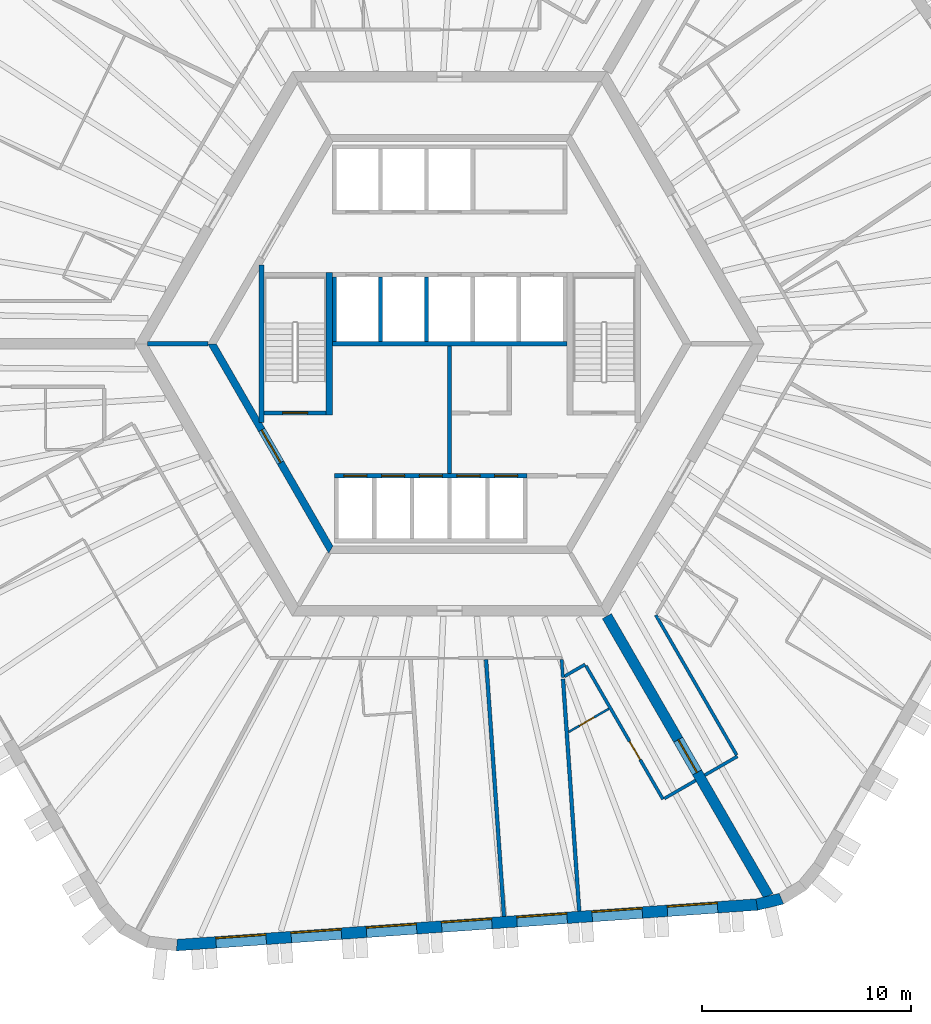
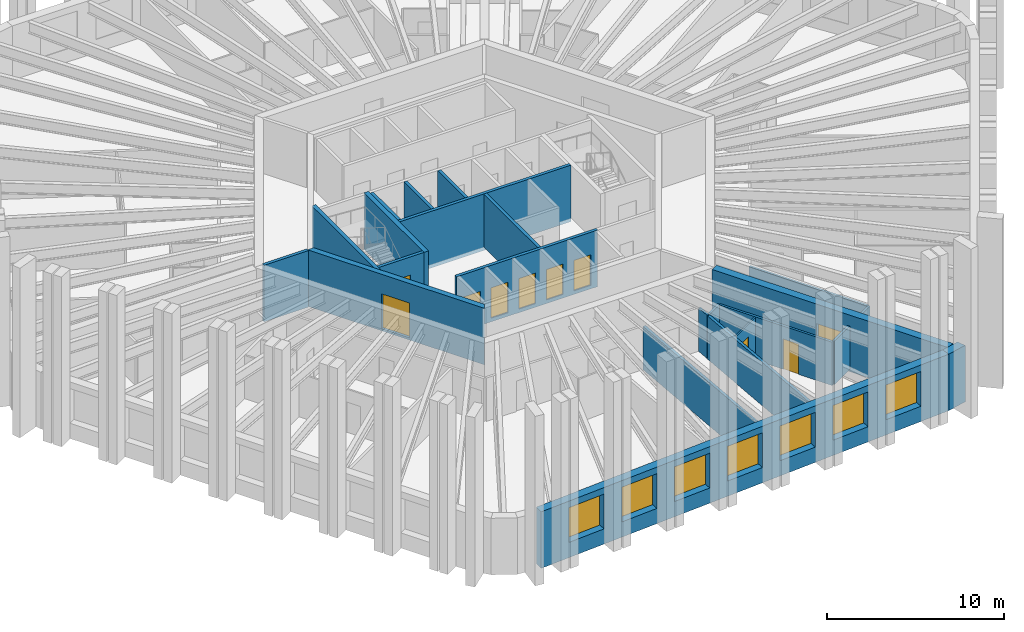
# One storey, part 4 of 10: 23 walls, 10 doors, 7 windows, 17 openings.
"""IFC4 building model written with IfcOpenShell, lengths in metres."""

from ifc_helpers import new_model, si_unit, direction, frame, frame_2d, origin, place, context, subcontext, project, spatial, polyline, rectangle, outline, extrude, material, layer, layer_set, type_object, element, fill, save


model = new_model("IFC4")

# Units and contexts
model_context = context("Model", 3, precision=1e-05, world=origin(), true_north=direction((0.0, 1.0)))
body_context = subcontext(model_context, "Body", "Model", "MODEL_VIEW")
ifc_project = project(units=[si_unit("LENGTHUNIT", "METRE"), si_unit("AREAUNIT", "SQUARE_METRE"), si_unit("VOLUMEUNIT", "CUBIC_METRE"), si_unit("PLANEANGLEUNIT", "RADIAN"), si_unit("MASSUNIT", "GRAM", prefix="KILO")], contexts=[model_context])

# Site, building, storey
site_placement = place(None, origin())
site = spatial("IfcSite", under=ifc_project, at=site_placement, CompositionType="ELEMENT")
building_placement = place(site_placement, origin())
building = spatial("IfcBuilding", under=site, at=building_placement, Name="Tarnside Tower", CompositionType="ELEMENT")
storey_placement = place(building_placement, frame((0.0, 0.0, 195.60009765625)))
storey = spatial("IfcBuildingStorey", under=building, at=storey_placement, Name="L46", CompositionType="ELEMENT", Elevation=195.60009765625)

# Wall, opening, door
ifc_material_1 = material(Name="Gypsum board partition on steel studs", Category="steel")
ifc_layer_1 = layer(ifc_material_1, 0.10009765625)
ifc_layer_set_1 = layer_set([ifc_layer_1], Name="Bathroom wall 100")
wall_type_1 = type_object("IfcWallType", Name="Bathroom wall 100", PredefinedType="PARTITIONING", material=ifc_layer_set_1)
wall_1_placement = place(storey_placement, frame((7.603271484375, -17.419189453125, 0.0), z_axis=(0.0, 0.0, 1.0), x_axis=(-0.866064858854, -0.499931655587, 0.0)))
wall_1 = element("IfcWall", 1, at=wall_1_placement, inside=storey, type_object=wall_type_1, Name="Bathroom wall 15093", PredefinedType="PARTITIONING", context=body_context, shape_type="SweptSolid", body=[
    extrude(rectangle(XDim=2.222412109375, YDim=0.10009765625, at=frame_2d((1.111328125, 0.0))), origin(), (0.0, 0.0, 1.0), 2.98779296875),
])
opening_1_placement = place(wall_1_placement, frame((0.824951171875, 0.0, 0.0)))
opening_1 = element("IfcOpeningElement", 2, at=opening_1_placement, cuts=wall_1, Name="Opening D-B1", PredefinedType="OPENING", context=body_context, shape_type="SweptSolid", body=[
    extrude(rectangle(XDim=0.800048828125, YDim=2.10009765625, at=frame_2d((0.39990234375, 1.050048828125))), frame((0.0, 0.06005859375, 0.0), z_axis=(0.0, -1.0, 0.0), x_axis=(1.0, 0.0, 0.0)), (0.0, 0.0, 1.0), 0.1201171875),
])
ifc_material_2 = material(Name="Timber door leaf", Category="wood")
door_type_1 = type_object("IfcDoorType", Name="Bathroom door 800", OperationType="NOTDEFINED", PredefinedType="DOOR", material=ifc_material_2)
door_1_placement = place(opening_1_placement, origin())
door_1 = element("IfcDoor", 3, at=door_1_placement, inside=storey, type_object=door_type_1, Name="Bathroom door 15024", OperationType="SINGLE_SWING_LEFT", OverallHeight=2.10009765625, OverallWidth=0.800048828125, PredefinedType="DOOR", context=body_context, shape_type="SweptSolid", body=[
    extrude(rectangle(XDim=0.800048828125, YDim=2.10009765625, at=frame_2d((0.39990234375, 1.050048828125))), frame((0.0, 0.02490234375, 0.0), z_axis=(0.0, -1.0, 0.0), x_axis=(1.0, 0.0, 0.0)), (0.0, 0.0, 1.0), 0.050048828125),
])
fill(opening_1, door_1)

ifc_material_3 = material(Name="Concrete C50/60", Category="concrete")
ifc_layer_2 = layer(ifc_material_3, 0.35009765625)
ifc_layer_set_2 = layer_set([ifc_layer_2], Name="Core block wall 350 C50/60")
wall_type_2 = type_object("IfcWallType", Name="Core block wall 350 C50/60", PredefinedType="SHEAR", material=ifc_layer_set_2)
wall_2_placement = place(storey_placement, frame((-11.344970703125, 0.0, -0.150146484375), z_axis=(0.0, 0.0, 1.0), x_axis=(0.499995046907, -0.866028263435, 0.0)))
wall_2 = element("IfcWall", 4, at=wall_2_placement, inside=storey, type_object=wall_type_2, Name="L46 core block wall face 3", PredefinedType="SHEAR", context=body_context, shape_type="SweptSolid", body=[
    extrude(outline(polyline([(-0.10107421875, -0.175048828125), (11.44580078125, -0.175048828125), (11.24365234375, 0.175048828125), (0.10107421875, 0.175048828125), (-0.10107421875, -0.175048828125)])), origin(), (0.0, 0.0, 1.0), 3.900146484375),
])
opening_2_placement = place(wall_2_placement, frame((4.74365234375, 0.0, 0.14990234375)))
opening_2 = element("IfcOpeningElement", 5, at=opening_2_placement, cuts=wall_2, Name="Opening CD-FFL", PredefinedType="OPENING", context=body_context, shape_type="SweptSolid", body=[
    extrude(rectangle(XDim=1.800048828125, YDim=2.39990234375, at=frame_2d((0.89990234375, 1.199951171875))), frame((0.0, 0.18505859375, 0.0), z_axis=(0.0, -1.0, 0.0), x_axis=(1.0, 0.0, 0.0)), (0.0, 0.0, 1.0), 0.3701171875),
])
ifc_material_4 = material(Name="Steel fire door", Category="steel")
door_type_2 = type_object("IfcDoorType", Name="Firefighting lobby double door FD60S 1800x2400", OperationType="NOTDEFINED", PredefinedType="DOOR", material=ifc_material_4)
door_2_placement = place(opening_2_placement, origin())
door_2 = element("IfcDoor", 6, at=door_2_placement, inside=storey, type_object=door_type_2, Name="L46 lobby block door P3", OperationType="DOUBLE_DOOR_SINGLE_SWING", OverallHeight=2.39990234375, OverallWidth=1.800048828125, PredefinedType="DOOR", context=body_context, shape_type="SweptSolid", body=[
    extrude(rectangle(XDim=1.800048828125, YDim=2.39990234375, at=frame_2d((0.89990234375, 1.199951171875))), frame((0.0, 0.02490234375, 0.0), z_axis=(0.0, -1.0, 0.0), x_axis=(1.0, 0.0, 0.0)), (0.0, 0.0, 1.0), 0.050048828125),
])
fill(opening_2, door_2)

# Wall
ifc_material_5 = material(Name="Concrete C40/50", Category="concrete")
ifc_layer_3 = layer(ifc_material_5, 0.199951171875)
ifc_layer_set_3 = layer_set([ifc_layer_3], Name="Core room partition 200 C40/50")
wall_type_3 = type_object("IfcWallType", Name="Core room partition 200 C40/50", PredefinedType="PARTITIONING", material=ifc_layer_set_3)
wall_3_placement = place(storey_placement, frame((0.0, -6.199951171875, 0.0), z_axis=(0.0, 0.0, 1.0), x_axis=(0.0, 1.0, 0.0)))
element("IfcWall", 7, at=wall_3_placement, inside=storey, type_object=wall_type_3, Name="L46 core partition X0", PredefinedType="PARTITIONING", context=body_context, shape_type="SweptSolid", body=[
    extrude(rectangle(XDim=6.099853515625, YDim=0.199951171875, at=frame_2d((3.0498046875, 0.0))), origin(), (0.0, 0.0, 1.0), 3.64990234375),
])

# Wall, opening, door
ifc_material_6 = material(Name="Concrete C70/85", Category="concrete")
ifc_layer_4 = layer(ifc_material_6, 0.5)
ifc_layer_set_4 = layer_set([ifc_layer_4], Name="Core wall Z2 500 C70/85")
wall_type_4 = type_object("IfcWallType", Name="Core wall Z2 500 C70/85", PredefinedType="SHEAR", material=ifc_layer_set_4)
wall_4_placement = place(storey_placement, frame((7.505615234375, -13.0, -0.150146484375), z_axis=(0.0, 0.0, 1.0), x_axis=(0.499988271576, -0.866032175087, 0.0)))
wall_4 = element("IfcWall", 8, at=wall_4_placement, inside=storey, type_object=wall_type_4, Name="L46 spine wall 3", PredefinedType="SHEAR", context=body_context, shape_type="SweptSolid", body=[
    extrude(rectangle(XDim=15.423583984375, YDim=0.5, at=frame_2d((7.7119140625, 0.0))), origin(), (0.0, 0.0, 1.0), 3.900146484375),
])
opening_3_placement = place(wall_4_placement, frame((6.811767578125, 0.0, 0.14990234375)))
opening_3 = element("IfcOpeningElement", 9, at=opening_3_placement, cuts=wall_4, Name="Opening CD-SPN", PredefinedType="OPENING", context=body_context, shape_type="SweptSolid", body=[
    extrude(rectangle(XDim=1.800048828125, YDim=2.39990234375, at=frame_2d((0.89990234375, 1.199951171875))), frame((0.0, 0.260009765625, 0.0), z_axis=(0.0, -1.0, 0.0), x_axis=(1.0, 0.0, 0.0)), (0.0, 0.0, 1.0), 0.52001953125),
])
door_type_3 = type_object("IfcDoorType", Name="Spine passage double door FD60 1800x2400", OperationType="NOTDEFINED", PredefinedType="DOOR", material=ifc_material_4)
door_3_placement = place(opening_3_placement, origin())
door_3 = element("IfcDoor", 10, at=door_3_placement, inside=storey, type_object=door_type_3, Name="L46 spine passage door 3", OperationType="DOUBLE_DOOR_SINGLE_SWING", OverallHeight=2.39990234375, OverallWidth=1.800048828125, PredefinedType="DOOR", context=body_context, shape_type="SweptSolid", body=[
    extrude(rectangle(XDim=1.800048828125, YDim=2.39990234375, at=frame_2d((0.89990234375, 1.199951171875))), frame((0.0, 0.02490234375, 0.0), z_axis=(0.0, -1.0, 0.0), x_axis=(1.0, 0.0, 0.0)), (0.0, 0.0, 1.0), 0.050048828125),
])
fill(opening_3, door_3)

# Wall
ifc_layer_5 = layer(ifc_material_1, 0.14990234375)
ifc_layer_set_5 = layer_set([ifc_layer_5], Name="Corridor wall 150 EI 60")
wall_type_5 = type_object("IfcWallType", Name="Corridor wall 150 EI 60", PredefinedType="PARTITIONING", material=ifc_layer_set_5)
wall_5_placement = place(storey_placement, frame((5.3466796875, -15.074951171875, 0.0), z_axis=(0.0, 0.0, 1.0), x_axis=(0.069751684831, -0.997564385122, 0.0)))
element("IfcWall", 11, at=wall_5_placement, inside=storey, type_object=wall_type_5, Name="Corridor wall 15028", PredefinedType="PARTITIONING", context=body_context, shape_type="SweptSolid", body=[
    extrude(rectangle(XDim=0.846923828125, YDim=0.14990234375, at=frame_2d((0.42333984375, 0.0))), origin(), (0.0, 0.0, 1.0), 2.98779296875),
])

# Wall, opening, door
wall_6_placement = place(storey_placement, frame((6.505615234375, -15.3681640625, 0.0), z_axis=(0.0, 0.0, 1.0), x_axis=(0.499995202058, -0.86602817386, 0.0)))
wall_6 = element("IfcWall", 12, at=wall_6_placement, inside=storey, type_object=wall_type_5, Name="Corridor wall 15029", PredefinedType="PARTITIONING", context=body_context, shape_type="SweptSolid", body=[
    extrude(rectangle(XDim=7.36083984375, YDim=0.14990234375, at=frame_2d((3.680419921875, 0.0))), origin(), (0.0, 0.0, 1.0), 2.98779296875),
])
opening_4_placement = place(wall_6_placement, frame((4.16796875, 0.0, 0.0)))
opening_4 = element("IfcOpeningElement", 13, at=opening_4_placement, cuts=wall_6, Name="Opening D-E1", PredefinedType="OPENING", context=body_context, shape_type="SweptSolid", body=[
    extrude(rectangle(XDim=1.0, YDim=2.10009765625, at=frame_2d((0.5, 1.050048828125))), frame((0.0, 0.0849609375, 0.0), z_axis=(0.0, -1.0, 0.0), x_axis=(1.0, 0.0, 0.0)), (0.0, 0.0, 1.0), 0.169921875),
])
door_type_4 = type_object("IfcDoorType", Name="Unit entrance door 1000 FD30S", OperationType="NOTDEFINED", PredefinedType="DOOR", material=ifc_material_2)
door_4_placement = place(opening_4_placement, origin())
door_4 = element("IfcDoor", 14, at=door_4_placement, inside=storey, type_object=door_type_4, Name="Unit door 15023", OperationType="SINGLE_SWING_RIGHT", OverallHeight=2.10009765625, OverallWidth=1.0, PredefinedType="DOOR", context=body_context, shape_type="SweptSolid", body=[
    extrude(rectangle(XDim=1.0, YDim=2.10009765625, at=frame_2d((0.5, 1.050048828125))), frame((0.0, 0.02490234375, 0.0), z_axis=(0.0, -1.0, 0.0), x_axis=(1.0, 0.0, 0.0)), (0.0, 0.0, 1.0), 0.050048828125),
])
fill(opening_4, door_4)

# Walls
wall_7_placement = place(storey_placement, frame((10.2509765625, -21.705322265625, 0.0), z_axis=(0.0, 0.0, 1.0), x_axis=(0.866013532718, 0.500020560727, 0.0)))
element("IfcWall", 15, at=wall_7_placement, inside=storey, type_object=wall_type_5, Name="Corridor wall 15030", PredefinedType="PARTITIONING", context=body_context, shape_type="SweptSolid", body=[
    extrude(rectangle(XDim=1.72509765625, YDim=0.14990234375, at=frame_2d((0.862548828125, 0.0))), origin(), (0.0, 0.0, 1.0), 2.98779296875),
])
wall_8_placement = place(storey_placement, frame((5.477783203125, -15.875, 0.0), z_axis=(0.0, 0.0, 1.0), x_axis=(0.866000689289, 0.500042804318, 0.0)))
element("IfcWall", 16, at=wall_8_placement, inside=storey, type_object=wall_type_5, Name="Corridor wall 15031", PredefinedType="PARTITIONING", context=body_context, shape_type="SweptSolid", body=[
    extrude(rectangle(XDim=1.1435546875, YDim=0.14990234375, at=frame_2d((0.57177734375, 0.0))), origin(), (0.0, 0.0, 1.0), 2.98779296875),
])
wall_9_placement = place(storey_placement, frame((12.177978515625, -20.5927734375, 0.0), z_axis=(0.0, 0.0, 1.0), x_axis=(0.866047807691, 0.499961193289, 0.0)))
element("IfcWall", 17, at=wall_9_placement, inside=storey, type_object=wall_type_5, Name="Corridor wall 15033", PredefinedType="PARTITIONING", context=body_context, shape_type="SweptSolid", body=[
    extrude(rectangle(XDim=1.800048828125, YDim=0.14990234375, at=frame_2d((0.89990234375, 0.0))), origin(), (0.0, 0.0, 1.0), 2.98779296875),
])
wall_10_placement = place(storey_placement, frame((13.69921875, -19.6279296875, 0.0), z_axis=(0.0, 0.0, 1.0), x_axis=(-0.499993780622, 0.866028994514, 0.0)))
element("IfcWall", 18, at=wall_10_placement, inside=storey, type_object=wall_type_5, Name="Corridor wall 15034", PredefinedType="PARTITIONING", context=body_context, shape_type="SweptSolid", body=[
    extrude(rectangle(XDim=7.7109375, YDim=0.14990234375, at=frame_2d((3.85546875, 0.0))), origin(), (0.0, 0.0, 1.0), 2.98779296875),
])
ifc_layer_6 = layer(ifc_material_1, 0.179931640625)
ifc_layer_set_6 = layer_set([ifc_layer_6], Name="Demising wall 180 EI 60")
wall_type_6 = type_object("IfcWallType", Name="Demising wall 180 EI 60", PredefinedType="PARTITIONING", material=ifc_layer_set_6)
wall_11_placement = place(storey_placement, frame((2.59521484375, -27.33544921875, 0.0), z_axis=(0.0, 0.0, 1.0), x_axis=(-0.069763302087, 0.997563572752, 0.0)))
element("IfcWall", 19, at=wall_11_placement, inside=storey, type_object=wall_type_6, Name="Demising wall 15090", PredefinedType="PARTITIONING", context=body_context, shape_type="SweptSolid", body=[
    extrude(rectangle(XDim=12.29052734375, YDim=0.179931640625, at=frame_2d((6.145263671875, 0.0))), origin(), (0.0, 0.0, 1.0), 2.98779296875),
])
wall_12_placement = place(storey_placement, frame((6.1865234375, -27.08447265625, 0.0), z_axis=(0.0, 0.0, 1.0), x_axis=(-0.069758943489, 0.997563877555, 0.0)))
element("IfcWall", 20, at=wall_12_placement, inside=storey, type_object=wall_type_6, Name="Demising wall 15091", PredefinedType="PARTITIONING", context=body_context, shape_type="SweptSolid", body=[
    extrude(rectangle(XDim=11.11181640625, YDim=0.179931640625, at=frame_2d((5.555908203125, 0.0))), origin(), (0.0, 0.0, 1.0), 2.98779296875),
])
ifc_layer_7 = layer(ifc_material_5, 0.199951171875)
ifc_layer_set_7 = layer_set([ifc_layer_7], Name="Lift shaft wall 200 C40/50")
wall_type_7 = type_object("IfcWallType", Name="Lift shaft wall 200 C40/50", PredefinedType="SHEAR", material=ifc_layer_set_7)
wall_13_placement = place(storey_placement, frame((-5.60009765625, 0.0, -0.25), z_axis=(0.0, 0.0, 1.0), x_axis=(1.0, 0.0, 0.0)))
element("IfcWall", 21, at=wall_13_placement, inside=storey, type_object=wall_type_7, Name="L46 lift shaft back wall R2", PredefinedType="SHEAR", context=body_context, shape_type="SweptSolid", body=[
    extrude(rectangle(XDim=11.2001953125, YDim=0.199951171875, at=frame_2d((5.60009765625, 0.0))), origin(), (0.0, 0.0, 1.0), 3.89990234375),
])
for number, where, z_axis, x_axis, name in (
    (22, (-5.5, 0.10009765625, -0.25), (0.0, 0.0, 1.0), (0.0, 1.0, 0.0), "L46 lift shaft partition R21"),
    (23, (-3.300048828125, 0.10009765625, -0.25), (0.0, 0.0, 1.0), (0.0, 1.0, 0.0), "L46 lift shaft partition R22"),
    (24, (-1.10009765625, 0.10009765625, -0.25), (0.0, 0.0, 1.0), (0.0, 1.0, 0.0), "L46 lift shaft partition R23"),
):
    element("IfcWall", number, at=place(storey_placement, frame(where, z_axis=z_axis, x_axis=x_axis)), inside=storey, type_object=wall_type_7, Name=name, PredefinedType="SHEAR", context=body_context, shape_type="SweptSolid", body=[
        extrude(rectangle(XDim=3.099853515625, YDim=0.199951171875, at=frame_2d((1.5498046875, 0.0))), origin(), (0.0, 0.0, 1.0), 3.89990234375),
    ])

# Wall, openings, doors
wall_14_placement = place(storey_placement, frame((-5.5, -6.300048828125, -0.25), z_axis=(0.0, 0.0, 1.0), x_axis=(1.0, 0.0, 0.0)))
wall_14 = element("IfcWall", 25, at=wall_14_placement, inside=storey, type_object=wall_type_7, Name="L46 lift shaft front wall R4", PredefinedType="SHEAR", context=body_context, shape_type="SweptSolid", body=[
    extrude(rectangle(XDim=9.199951171875, YDim=0.199951171875, at=frame_2d((4.60009765625, 0.0))), origin(), (0.0, 0.0, 1.0), 3.89990234375),
])
opening_5_placement = place(wall_14_placement, frame((0.449951171875, 0.0, 0.25)))
opening_5 = element("IfcOpeningElement", 26, at=opening_5_placement, cuts=wall_14, Name="Opening LDF", PredefinedType="OPENING", context=body_context, shape_type="SweptSolid", body=[
    extrude(rectangle(XDim=1.10009765625, YDim=2.10009765625, at=frame_2d((0.550048828125, 1.050048828125))), frame((0.0, 0.10986328125, 0.0), z_axis=(0.0, -1.0, 0.0), x_axis=(1.0, 0.0, 0.0)), (0.0, 0.0, 1.0), 0.219970703125),
])
opening_6_placement = place(wall_14_placement, frame((2.25, 0.0, 0.25)))
opening_6 = element("IfcOpeningElement", 27, at=opening_6_placement, cuts=wall_14, Name="Opening LDF", PredefinedType="OPENING", context=body_context, shape_type="SweptSolid", body=[
    extrude(rectangle(XDim=1.10009765625, YDim=2.10009765625, at=frame_2d((0.550048828125, 1.050048828125))), frame((0.0, 0.10986328125, 0.0), z_axis=(0.0, -1.0, 0.0), x_axis=(1.0, 0.0, 0.0)), (0.0, 0.0, 1.0), 0.219970703125),
])
opening_7_placement = place(wall_14_placement, frame((4.050048828125, 0.0, 0.25)))
opening_7 = element("IfcOpeningElement", 28, at=opening_7_placement, cuts=wall_14, Name="Opening LDF", PredefinedType="OPENING", context=body_context, shape_type="SweptSolid", body=[
    extrude(rectangle(XDim=1.10009765625, YDim=2.10009765625, at=frame_2d((0.550048828125, 1.050048828125))), frame((0.0, 0.10986328125, 0.0), z_axis=(0.0, -1.0, 0.0), x_axis=(1.0, 0.0, 0.0)), (0.0, 0.0, 1.0), 0.219970703125),
])
opening_8_placement = place(wall_14_placement, frame((5.85009765625, 0.0, 0.25)))
opening_8 = element("IfcOpeningElement", 29, at=opening_8_placement, cuts=wall_14, Name="Opening LDF", PredefinedType="OPENING", context=body_context, shape_type="SweptSolid", body=[
    extrude(rectangle(XDim=1.10009765625, YDim=2.10009765625, at=frame_2d((0.550048828125, 1.050048828125))), frame((0.0, 0.10986328125, 0.0), z_axis=(0.0, -1.0, 0.0), x_axis=(1.0, 0.0, 0.0)), (0.0, 0.0, 1.0), 0.219970703125),
])
opening_9_placement = place(wall_14_placement, frame((7.64990234375, 0.0, 0.25)))
opening_9 = element("IfcOpeningElement", 30, at=opening_9_placement, cuts=wall_14, Name="Opening LDF", PredefinedType="OPENING", context=body_context, shape_type="SweptSolid", body=[
    extrude(rectangle(XDim=1.10009765625, YDim=2.10009765625, at=frame_2d((0.550048828125, 1.050048828125))), frame((0.0, 0.10986328125, 0.0), z_axis=(0.0, -1.0, 0.0), x_axis=(1.0, 0.0, 0.0)), (0.0, 0.0, 1.0), 0.219970703125),
])
ifc_material_7 = material(Name="Stainless steel", Category="steel")
door_type_5 = type_object("IfcDoorType", Name="Lift landing door 1100x2100 EI 120", OperationType="NOTDEFINED", PredefinedType="DOOR", material=ifc_material_7)
door_5_placement = place(opening_5_placement, origin())
door_5 = element("IfcDoor", 31, at=door_5_placement, inside=storey, type_object=door_type_5, Name="Firefighting lift 1 landing door L46", OperationType="SLIDING_TO_LEFT", OverallHeight=2.10009765625, OverallWidth=1.10009765625, PredefinedType="DOOR", context=body_context, shape_type="SweptSolid", body=[
    extrude(rectangle(XDim=1.10009765625, YDim=2.10009765625, at=frame_2d((0.550048828125, 1.050048828125))), frame((0.0, 0.02490234375, 0.0), z_axis=(0.0, -1.0, 0.0), x_axis=(1.0, 0.0, 0.0)), (0.0, 0.0, 1.0), 0.050048828125),
])
fill(opening_5, door_5)
door_6_placement = place(opening_6_placement, origin())
door_6 = element("IfcDoor", 32, at=door_6_placement, inside=storey, type_object=door_type_5, Name="Firefighting lift 2 landing door L46", OperationType="SLIDING_TO_LEFT", OverallHeight=2.10009765625, OverallWidth=1.10009765625, PredefinedType="DOOR", context=body_context, shape_type="SweptSolid", body=[
    extrude(rectangle(XDim=1.10009765625, YDim=2.10009765625, at=frame_2d((0.550048828125, 1.050048828125))), frame((0.0, 0.02490234375, 0.0), z_axis=(0.0, -1.0, 0.0), x_axis=(1.0, 0.0, 0.0)), (0.0, 0.0, 1.0), 0.050048828125),
])
fill(opening_6, door_6)
door_7_placement = place(opening_7_placement, origin())
door_7 = element("IfcDoor", 33, at=door_7_placement, inside=storey, type_object=door_type_5, Name="Firefighting lift 3 landing door L46", OperationType="SLIDING_TO_LEFT", OverallHeight=2.10009765625, OverallWidth=1.10009765625, PredefinedType="DOOR", context=body_context, shape_type="SweptSolid", body=[
    extrude(rectangle(XDim=1.10009765625, YDim=2.10009765625, at=frame_2d((0.550048828125, 1.050048828125))), frame((0.0, 0.02490234375, 0.0), z_axis=(0.0, -1.0, 0.0), x_axis=(1.0, 0.0, 0.0)), (0.0, 0.0, 1.0), 0.050048828125),
])
fill(opening_7, door_7)
door_8_placement = place(opening_8_placement, origin())
door_8 = element("IfcDoor", 34, at=door_8_placement, inside=storey, type_object=door_type_5, Name="Firefighting lift 4 landing door L46", OperationType="SLIDING_TO_LEFT", OverallHeight=2.10009765625, OverallWidth=1.10009765625, PredefinedType="DOOR", context=body_context, shape_type="SweptSolid", body=[
    extrude(rectangle(XDim=1.10009765625, YDim=2.10009765625, at=frame_2d((0.550048828125, 1.050048828125))), frame((0.0, 0.02490234375, 0.0), z_axis=(0.0, -1.0, 0.0), x_axis=(1.0, 0.0, 0.0)), (0.0, 0.0, 1.0), 0.050048828125),
])
fill(opening_8, door_8)
door_9_placement = place(opening_9_placement, origin())
door_9 = element("IfcDoor", 35, at=door_9_placement, inside=storey, type_object=door_type_5, Name="Firefighting lift 5 landing door L46", OperationType="SLIDING_TO_LEFT", OverallHeight=2.10009765625, OverallWidth=1.10009765625, PredefinedType="DOOR", context=body_context, shape_type="SweptSolid", body=[
    extrude(rectangle(XDim=1.10009765625, YDim=2.10009765625, at=frame_2d((0.550048828125, 1.050048828125))), frame((0.0, 0.02490234375, 0.0), z_axis=(0.0, -1.0, 0.0), x_axis=(1.0, 0.0, 0.0)), (0.0, 0.0, 1.0), 0.050048828125),
])
fill(opening_9, door_9)

# Wall
wall_15_placement = place(storey_placement, frame((-11.547119140625, 0.0, -0.150146484375), z_axis=(0.0, 0.0, 1.0), x_axis=(-1.0, 0.0, 0.0)))
element("IfcWall", 36, at=wall_15_placement, inside=storey, type_object=wall_type_7, Name="L46 core partition AR180", PredefinedType="SHEAR", context=body_context, shape_type="SweptSolid", body=[
    extrude(rectangle(XDim=2.88671875, YDim=0.199951171875, at=frame_2d((1.443359375, 0.0))), origin(), (0.0, 0.0, 1.0), 3.900146484375),
])

# Wall, opening, door
wall_16_placement = place(storey_placement, frame((-8.85009765625, -3.300048828125, -0.25), z_axis=(0.0, 0.0, 1.0), x_axis=(1.0, 0.0, 0.0)))
wall_16 = element("IfcWall", 37, at=wall_16_placement, inside=storey, type_object=wall_type_7, Name="L46 stair 2 enclosure cap wall s", PredefinedType="SHEAR", context=body_context, shape_type="SweptSolid", body=[
    extrude(rectangle(XDim=2.9501953125, YDim=0.199951171875, at=frame_2d((1.47509765625, 0.0))), origin(), (0.0, 0.0, 1.0), 3.89990234375),
])
opening_10_placement = place(wall_16_placement, frame((0.875, 0.0, 0.25)))
opening_10 = element("IfcOpeningElement", 38, at=opening_10_placement, cuts=wall_16, Name="Opening CD-STR", PredefinedType="OPENING", context=body_context, shape_type="SweptSolid", body=[
    extrude(rectangle(XDim=1.199951171875, YDim=2.39990234375, at=frame_2d((0.60009765625, 1.199951171875))), frame((0.0, 0.10986328125, 0.0), z_axis=(0.0, -1.0, 0.0), x_axis=(1.0, 0.0, 0.0)), (0.0, 0.0, 1.0), 0.219970703125),
])
door_type_6 = type_object("IfcDoorType", Name="Stair door FD60S 1200x2400", OperationType="NOTDEFINED", PredefinedType="DOOR", material=ifc_material_4)
door_10_placement = place(opening_10_placement, origin())
door_10 = element("IfcDoor", 39, at=door_10_placement, inside=storey, type_object=door_type_6, Name="L46 stair 2 door", OperationType="SINGLE_SWING_LEFT", OverallHeight=2.39990234375, OverallWidth=1.199951171875, PredefinedType="DOOR", context=body_context, shape_type="SweptSolid", body=[
    extrude(rectangle(XDim=1.199951171875, YDim=2.39990234375, at=frame_2d((0.60009765625, 1.199951171875))), frame((0.0, 0.02490234375, 0.0), z_axis=(0.0, -1.0, 0.0), x_axis=(1.0, 0.0, 0.0)), (0.0, 0.0, 1.0), 0.050048828125),
])
fill(opening_10, door_10)

# Walls
ifc_layer_8 = layer(ifc_material_5, 0.25)
ifc_layer_set_8 = layer_set([ifc_layer_8], Name="Stair enclosure wall 250 C40/50")
wall_type_8 = type_object("IfcWallType", Name="Stair enclosure wall 250 C40/50", PredefinedType="SHEAR", material=ifc_layer_set_8)
wall_17_placement = place(storey_placement, frame((-8.97509765625, -3.7548828125, -0.25), z_axis=(0.0, 0.0, 1.0), x_axis=(0.0, 1.0, 0.0)))
element("IfcWall", 40, at=wall_17_placement, inside=storey, type_object=wall_type_8, Name="L46 stair 2 enclosure wall outer", PredefinedType="SHEAR", context=body_context, shape_type="SweptSolid", body=[
    extrude(rectangle(XDim=7.509765625, YDim=0.25, at=frame_2d((3.7548828125, 0.0))), origin(), (0.0, 0.0, 1.0), 3.89990234375),
])
ifc_layer_9 = layer(ifc_material_5, 0.300048828125)
ifc_layer_set_9 = layer_set([ifc_layer_9], Name="Stair enclosure wall 300 C40/50")
wall_type_9 = type_object("IfcWallType", Name="Stair enclosure wall 300 C40/50", PredefinedType="SHEAR", material=ifc_layer_set_9)
wall_18_placement = place(storey_placement, frame((-5.75, -3.39990234375, -0.25), z_axis=(0.0, 0.0, 1.0), x_axis=(0.0, 1.0, 0.0)))
element("IfcWall", 41, at=wall_18_placement, inside=storey, type_object=wall_type_9, Name="L46 stair 2 enclosure wall inner", PredefinedType="SHEAR", context=body_context, shape_type="SweptSolid", body=[
    extrude(rectangle(XDim=6.7998046875, YDim=0.300048828125, at=frame_2d((3.39990234375, 0.0))), origin(), (0.0, 0.0, 1.0), 3.89990234375),
])

# Wall, openings, windows
ifc_material_8 = material(Name="Facing brick", Category="masonry")
ifc_layer_10 = layer(ifc_material_8, 0.10205078125)
ifc_material_9 = material(Name="Concrete C60/75 precast", Category="concrete")
ifc_layer_11 = layer(ifc_material_9, 0.347900390625)
ifc_material_10 = material(Name="Mineral wool insulation")
ifc_layer_12 = layer(ifc_material_10, 0.10009765625)
ifc_layer_set_10 = layer_set([ifc_layer_10, ifc_layer_11, ifc_layer_12], Name="Tube wall 550 brick faced")
wall_type_10 = type_object("IfcWallType", Name="Tube wall 550 brick faced", PredefinedType="SOLIDWALL", material=ifc_layer_set_10)
wall_19_placement = place(storey_placement, frame((-13.0263671875, -28.70361328125, -0.150146484375), z_axis=(0.0, 0.0, 1.0), x_axis=(0.99756406806, 0.069756219185, 0.0)))
wall_19 = element("IfcWall", 42, at=wall_19_placement, inside=storey, type_object=wall_type_10, Name="Tube wall L46 F4 flush 12", PredefinedType="SOLIDWALL", context=body_context, shape_type="SweptSolid", body=[
    extrude(outline(polyline([(-0.025634765625, -0.27490234375), (27.7802734375, -0.27490234375), (27.7353515625, 0.27490234375), (0.025634765625, 0.27490234375), (-0.025634765625, -0.27490234375)])), origin(), (0.0, 0.0, 1.0), 3.900146484375),
])
opening_11_placement = place(wall_19_placement, frame((1.87890625, 0.0, 1.050048828125)))
opening_11 = element("IfcOpeningElement", 43, at=opening_11_placement, cuts=wall_19, Name="Opening WH", PredefinedType="OPENING", context=body_context, shape_type="SweptSolid", body=[
    extrude(rectangle(XDim=2.39990234375, YDim=2.39990234375, at=frame_2d((1.199951171875, 1.199951171875))), frame((0.0, 0.28515625, 0.0), z_axis=(0.0, -1.0, 0.0), x_axis=(1.0, 0.0, 0.0)), (0.0, 0.0, 1.0), 0.570068359375),
])
opening_12_placement = place(wall_19_placement, frame((5.47900390625, 0.0, 1.050048828125)))
opening_12 = element("IfcOpeningElement", 44, at=opening_12_placement, cuts=wall_19, Name="Opening WH", PredefinedType="OPENING", context=body_context, shape_type="SweptSolid", body=[
    extrude(rectangle(XDim=2.39990234375, YDim=2.39990234375, at=frame_2d((1.199951171875, 1.199951171875))), frame((0.0, 0.28515625, 0.0), z_axis=(0.0, -1.0, 0.0), x_axis=(1.0, 0.0, 0.0)), (0.0, 0.0, 1.0), 0.570068359375),
])
opening_13_placement = place(wall_19_placement, frame((9.078857421875, 0.0, 1.050048828125)))
opening_13 = element("IfcOpeningElement", 45, at=opening_13_placement, cuts=wall_19, Name="Opening WH", PredefinedType="OPENING", context=body_context, shape_type="SweptSolid", body=[
    extrude(rectangle(XDim=2.39990234375, YDim=2.39990234375, at=frame_2d((1.199951171875, 1.199951171875))), frame((0.0, 0.28515625, 0.0), z_axis=(0.0, -1.0, 0.0), x_axis=(1.0, 0.0, 0.0)), (0.0, 0.0, 1.0), 0.570068359375),
])
opening_14_placement = place(wall_19_placement, frame((12.678955078125, 0.0, 1.050048828125)))
opening_14 = element("IfcOpeningElement", 46, at=opening_14_placement, cuts=wall_19, Name="Opening WH", PredefinedType="OPENING", context=body_context, shape_type="SweptSolid", body=[
    extrude(rectangle(XDim=2.39990234375, YDim=2.39990234375, at=frame_2d((1.199951171875, 1.199951171875))), frame((0.0, 0.28515625, 0.0), z_axis=(0.0, -1.0, 0.0), x_axis=(1.0, 0.0, 0.0)), (0.0, 0.0, 1.0), 0.570068359375),
])
opening_15_placement = place(wall_19_placement, frame((16.27880859375, 0.0, 1.050048828125)))
opening_15 = element("IfcOpeningElement", 47, at=opening_15_placement, cuts=wall_19, Name="Opening WH", PredefinedType="OPENING", context=body_context, shape_type="SweptSolid", body=[
    extrude(rectangle(XDim=2.39990234375, YDim=2.39990234375, at=frame_2d((1.199951171875, 1.199951171875))), frame((0.0, 0.28515625, 0.0), z_axis=(0.0, -1.0, 0.0), x_axis=(1.0, 0.0, 0.0)), (0.0, 0.0, 1.0), 0.570068359375),
])
opening_16_placement = place(wall_19_placement, frame((19.87890625, 0.0, 1.050048828125)))
opening_16 = element("IfcOpeningElement", 48, at=opening_16_placement, cuts=wall_19, Name="Opening WH", PredefinedType="OPENING", context=body_context, shape_type="SweptSolid", body=[
    extrude(rectangle(XDim=2.39990234375, YDim=2.39990234375, at=frame_2d((1.199951171875, 1.199951171875))), frame((0.0, 0.28515625, 0.0), z_axis=(0.0, -1.0, 0.0), x_axis=(1.0, 0.0, 0.0)), (0.0, 0.0, 1.0), 0.570068359375),
])
opening_17_placement = place(wall_19_placement, frame((23.47900390625, 0.0, 1.050048828125)))
opening_17 = element("IfcOpeningElement", 49, at=opening_17_placement, cuts=wall_19, Name="Opening WH", PredefinedType="OPENING", context=body_context, shape_type="SweptSolid", body=[
    extrude(rectangle(XDim=2.39990234375, YDim=2.39990234375, at=frame_2d((1.199951171875, 1.199951171875))), frame((0.0, 0.28515625, 0.0), z_axis=(0.0, -1.0, 0.0), x_axis=(1.0, 0.0, 0.0)), (0.0, 0.0, 1.0), 0.570068359375),
])
ifc_material_11 = material(Name="Aluminium-framed double glazing", Category="aluminium")
window_type = type_object("IfcWindowType", Name="Hotel window 2400 x 2400", PartitioningType="DOUBLE_PANEL_VERTICAL", PredefinedType="WINDOW", material=ifc_material_11)
window_1_placement = place(opening_11_placement, frame((0.0, 0.205078125, 0.0)))
window_1 = element("IfcWindow", 50, at=window_1_placement, inside=storey, type_object=window_type, Name="E.WN.L46.F4.00", OverallHeight=2.39990234375, OverallWidth=2.39990234375, PartitioningType="DOUBLE_PANEL_VERTICAL", PredefinedType="WINDOW", context=body_context, shape_type="SweptSolid", body=[
    extrude(rectangle(XDim=2.39990234375, YDim=2.39990234375, at=frame_2d((1.199951171875, 1.199951171875))), frame((0.0, 0.030029296875, 0.0), z_axis=(0.0, -1.0, 0.0), x_axis=(1.0, 0.0, 0.0)), (0.0, 0.0, 1.0), 0.06005859375),
])
fill(opening_11, window_1)
window_2_placement = place(opening_12_placement, frame((0.0, 0.205078125, 0.0)))
window_2 = element("IfcWindow", 51, at=window_2_placement, inside=storey, type_object=window_type, Name="E.WN.L46.F4.01", OverallHeight=2.39990234375, OverallWidth=2.39990234375, PartitioningType="DOUBLE_PANEL_VERTICAL", PredefinedType="WINDOW", context=body_context, shape_type="SweptSolid", body=[
    extrude(rectangle(XDim=2.39990234375, YDim=2.39990234375, at=frame_2d((1.199951171875, 1.199951171875))), frame((0.0, 0.030029296875, 0.0), z_axis=(0.0, -1.0, 0.0), x_axis=(1.0, 0.0, 0.0)), (0.0, 0.0, 1.0), 0.06005859375),
])
fill(opening_12, window_2)
window_3_placement = place(opening_13_placement, frame((0.0, 0.205078125, 0.0)))
window_3 = element("IfcWindow", 52, at=window_3_placement, inside=storey, type_object=window_type, Name="E.WN.L46.F4.02", OverallHeight=2.39990234375, OverallWidth=2.39990234375, PartitioningType="DOUBLE_PANEL_VERTICAL", PredefinedType="WINDOW", context=body_context, shape_type="SweptSolid", body=[
    extrude(rectangle(XDim=2.39990234375, YDim=2.39990234375, at=frame_2d((1.199951171875, 1.199951171875))), frame((0.0, 0.030029296875, 0.0), z_axis=(0.0, -1.0, 0.0), x_axis=(1.0, 0.0, 0.0)), (0.0, 0.0, 1.0), 0.06005859375),
])
fill(opening_13, window_3)
window_4_placement = place(opening_14_placement, frame((0.0, 0.205078125, 0.0)))
window_4 = element("IfcWindow", 53, at=window_4_placement, inside=storey, type_object=window_type, Name="E.WN.L46.F4.03", OverallHeight=2.39990234375, OverallWidth=2.39990234375, PartitioningType="DOUBLE_PANEL_VERTICAL", PredefinedType="WINDOW", context=body_context, shape_type="SweptSolid", body=[
    extrude(rectangle(XDim=2.39990234375, YDim=2.39990234375, at=frame_2d((1.199951171875, 1.199951171875))), frame((0.0, 0.030029296875, 0.0), z_axis=(0.0, -1.0, 0.0), x_axis=(1.0, 0.0, 0.0)), (0.0, 0.0, 1.0), 0.06005859375),
])
fill(opening_14, window_4)
window_5_placement = place(opening_15_placement, frame((0.0, 0.205078125, 0.0)))
window_5 = element("IfcWindow", 54, at=window_5_placement, inside=storey, type_object=window_type, Name="E.WN.L46.F4.04", OverallHeight=2.39990234375, OverallWidth=2.39990234375, PartitioningType="DOUBLE_PANEL_VERTICAL", PredefinedType="WINDOW", context=body_context, shape_type="SweptSolid", body=[
    extrude(rectangle(XDim=2.39990234375, YDim=2.39990234375, at=frame_2d((1.199951171875, 1.199951171875))), frame((0.0, 0.030029296875, 0.0), z_axis=(0.0, -1.0, 0.0), x_axis=(1.0, 0.0, 0.0)), (0.0, 0.0, 1.0), 0.06005859375),
])
fill(opening_15, window_5)
window_6_placement = place(opening_16_placement, frame((0.0, 0.205078125, 0.0)))
window_6 = element("IfcWindow", 55, at=window_6_placement, inside=storey, type_object=window_type, Name="E.WN.L46.F4.05", OverallHeight=2.39990234375, OverallWidth=2.39990234375, PartitioningType="DOUBLE_PANEL_VERTICAL", PredefinedType="WINDOW", context=body_context, shape_type="SweptSolid", body=[
    extrude(rectangle(XDim=2.39990234375, YDim=2.39990234375, at=frame_2d((1.199951171875, 1.199951171875))), frame((0.0, 0.030029296875, 0.0), z_axis=(0.0, -1.0, 0.0), x_axis=(1.0, 0.0, 0.0)), (0.0, 0.0, 1.0), 0.06005859375),
])
fill(opening_16, window_6)
window_7_placement = place(opening_17_placement, frame((0.0, 0.205078125, 0.0)))
window_7 = element("IfcWindow", 56, at=window_7_placement, inside=storey, type_object=window_type, Name="E.WN.L46.F4.06", OverallHeight=2.39990234375, OverallWidth=2.39990234375, PartitioningType="DOUBLE_PANEL_VERTICAL", PredefinedType="WINDOW", context=body_context, shape_type="SweptSolid", body=[
    extrude(rectangle(XDim=2.39990234375, YDim=2.39990234375, at=frame_2d((1.199951171875, 1.199951171875))), frame((0.0, 0.030029296875, 0.0), z_axis=(0.0, -1.0, 0.0), x_axis=(1.0, 0.0, 0.0)), (0.0, 0.0, 1.0), 0.06005859375),
])
fill(opening_17, window_7)

# Wall
wall_20_placement = place(storey_placement, frame((14.663818359375, -26.767333984375, -0.150146484375), z_axis=(0.0, 0.0, 1.0), x_axis=(0.973063591128, 0.230536868247, 0.0)))
element("IfcWall", 57, at=wall_20_placement, inside=storey, type_object=wall_type_10, Name="Tube wall L46 F4 chord 13", PredefinedType="SOLIDWALL", context=body_context, shape_type="SweptSolid", body=[
    extrude(outline(polyline([(-0.0224609375, -0.27490234375), (1.25341796875, -0.27490234375), (1.1630859375, 0.27490234375), (0.0224609375, 0.27490234375), (-0.0224609375, -0.27490234375)])), origin(), (0.0, 0.0, 1.0), 3.900146484375),
])

save(model, "model.ifc")
